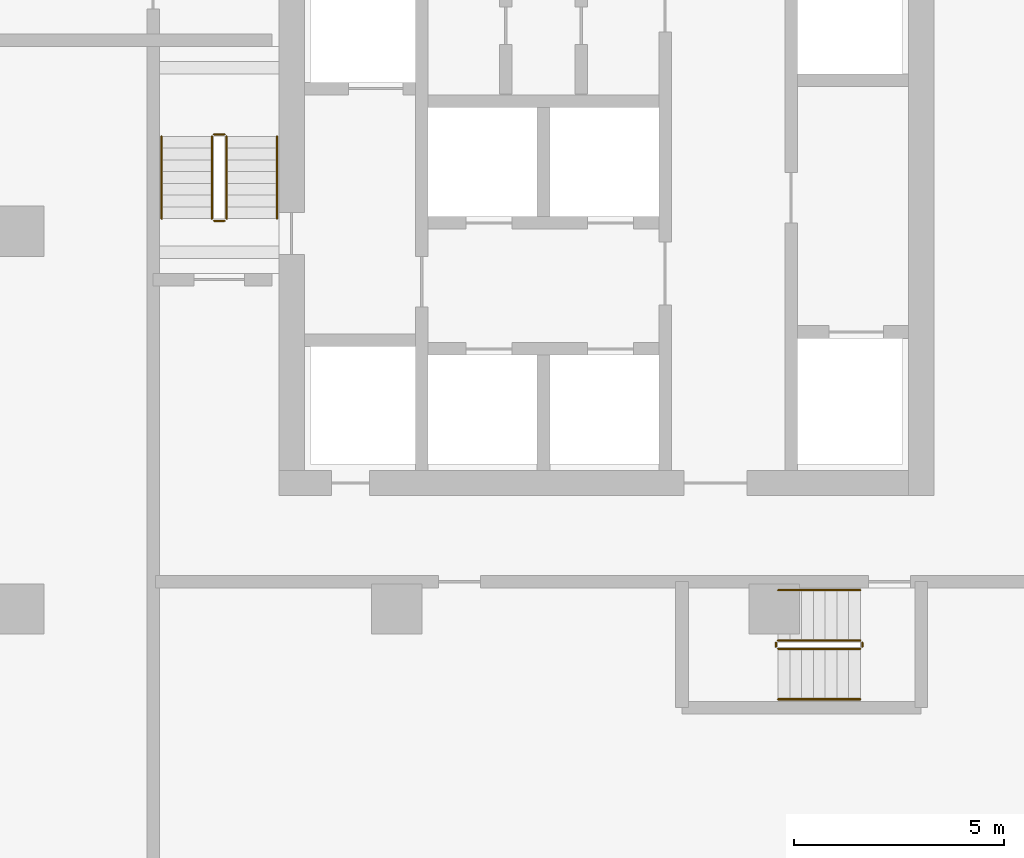
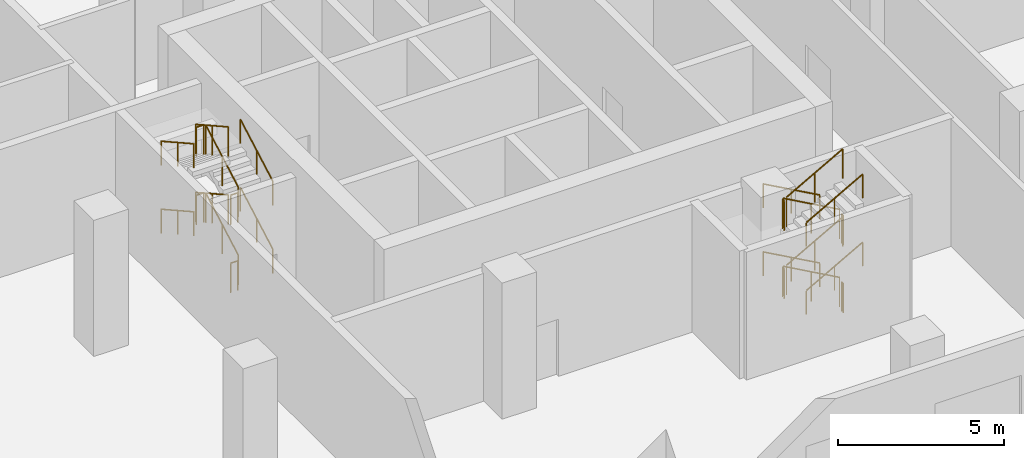
# One storey, part 34 of 35: 24 railings.
"""IFC4 building model written with IfcOpenShell, lengths in metres."""

from ifc_helpers import new_model, si_unit, direction, frame, origin, origin_2d, place, context, subcontext, project, spatial, circle, extrude, material, type_object, element, save


model = new_model("IFC4")

# Units and contexts
model_context = context("Model", 3, precision=1e-05, world=origin(), true_north=direction((0.0, 1.0)))
body_context = subcontext(model_context, "Body", "Model", "MODEL_VIEW")
ifc_project = project(units=[si_unit("LENGTHUNIT", "METRE"), si_unit("AREAUNIT", "SQUARE_METRE"), si_unit("VOLUMEUNIT", "CUBIC_METRE"), si_unit("PLANEANGLEUNIT", "RADIAN"), si_unit("MASSUNIT", "GRAM", prefix="KILO")], contexts=[model_context])

# Site, building, storey
site_placement = place(None, origin())
site = spatial("IfcSite", under=ifc_project, at=site_placement, CompositionType="ELEMENT")
building_placement = place(site_placement, origin())
building = spatial("IfcBuilding", under=site, at=building_placement, Name="Ogive Portal Towers", CompositionType="ELEMENT")
storey_placement = place(building_placement, frame((0.0, 0.0, 23.5)))
storey = spatial("IfcBuildingStorey", under=building, at=storey_placement, Name="L04", CompositionType="ELEMENT", Elevation=23.5)

# Railings
ifc_material_1 = material(Name="Stainless steel balustrade", Category="steel")
railing_type_1 = type_object("IfcRailingType", Name="INT-GUARD", PredefinedType="GUARDRAIL", material=ifc_material_1)
railing_1_placement = place(storey_placement, frame((127.449951171875, 30.800048828125, 0.15625)))
element("IfcRailing", 1, at=railing_1_placement, inside=storey, type_object=railing_type_1, Name="L04 ST-B1 stair guard 1", PredefinedType="GUARDRAIL", context=body_context, shape_type="SweptSolid", body=[
    extrude(circle(Radius=0.02392578125, at=origin_2d()), frame((0.0, 0.0, 1.076171875), z_axis=(0.0, 0.873232148454, 0.487304437602), x_axis=(-1.0, 0.0, 0.0)), (0.0, 0.0, 1.0), 2.244384765625),
    extrude(circle(Radius=0.02099609375, at=origin_2d()), origin(), (0.0, 0.0, 1.0), 1.052001953125),
    extrude(circle(Radius=0.02099609375, at=origin_2d()), frame((0.0, 0.97998046875, 0.546875)), (0.0, 0.0, 1.0), 1.052001953125),
    extrude(circle(Radius=0.02099609375, at=origin_2d()), frame((0.0, 1.9599609375, 1.09375)), (0.0, 0.0, 1.0), 1.052001953125),
])
railing_2_placement = place(storey_placement, frame((127.39990234375, 32.81005859375, 1.25)))
element("IfcRailing", 2, at=railing_2_placement, inside=storey, type_object=railing_type_1, Name="L04 ST-B1 stair guard 2", PredefinedType="GUARDRAIL", context=body_context, shape_type="SweptSolid", body=[
    extrude(circle(Radius=0.02392578125, at=origin_2d()), frame((0.0, 0.0, 1.076171875), z_axis=(-1.0, 0.0, 0.0), x_axis=(0.0, -1.0, 0.0)), (0.0, 0.0, 1.0), 0.25),
    extrude(circle(Radius=0.02099609375, at=origin_2d()), origin(), (0.0, 0.0, 1.0), 1.052001953125),
    extrude(circle(Radius=0.02099609375, at=origin_2d()), frame((-0.25, 0.0, 0.0)), (0.0, 0.0, 1.0), 1.052001953125),
])
railing_3_placement = place(storey_placement, frame((127.10009765625, 32.760009765625, 1.40625)))
element("IfcRailing", 3, at=railing_3_placement, inside=storey, type_object=railing_type_1, Name="L04 ST-B1 stair guard 3", PredefinedType="GUARDRAIL", context=body_context, shape_type="SweptSolid", body=[
    extrude(circle(Radius=0.02392578125, at=origin_2d()), frame((0.0, 0.0, 1.076171875), z_axis=(0.0, -0.873232148454, 0.487304437602), x_axis=(1.0, 0.0, 0.0)), (0.0, 0.0, 1.0), 2.244384765625),
    extrude(circle(Radius=0.02099609375, at=origin_2d()), origin(), (0.0, 0.0, 1.0), 1.052001953125),
    extrude(circle(Radius=0.02099609375, at=origin_2d()), frame((0.0, -0.97998046875, 0.546875)), (0.0, 0.0, 1.0), 1.052001953125),
    extrude(circle(Radius=0.02099609375, at=origin_2d()), frame((0.0, -1.9599609375, 1.09375)), (0.0, 0.0, 1.0), 1.052001953125),
])
railing_4_placement = place(storey_placement, frame((127.39990234375, 30.75, 2.5)))
element("IfcRailing", 4, at=railing_4_placement, inside=storey, type_object=railing_type_1, Name="L04 ST-B1 stair guard 4", PredefinedType="GUARDRAIL", context=body_context, shape_type="SweptSolid", body=[
    extrude(circle(Radius=0.02392578125, at=origin_2d()), frame((0.0, 0.0, 1.076171875), z_axis=(-1.0, 0.0, 0.0), x_axis=(0.0, -1.0, 0.0)), (0.0, 0.0, 1.0), 0.25),
    extrude(circle(Radius=0.02099609375, at=origin_2d()), origin(), (0.0, 0.0, 1.0), 1.052001953125),
    extrude(circle(Radius=0.02099609375, at=origin_2d()), frame((-0.25, 0.0, 0.0)), (0.0, 0.0, 1.0), 1.052001953125),
])
railing_5_placement = place(storey_placement, frame((127.449951171875, 30.800048828125, 2.65625)))
element("IfcRailing", 5, at=railing_5_placement, inside=storey, type_object=railing_type_1, Name="L04 ST-B1 stair guard 5", PredefinedType="GUARDRAIL", context=body_context, shape_type="SweptSolid", body=[
    extrude(circle(Radius=0.02392578125, at=origin_2d()), frame((0.0, 0.0, 1.076171875), z_axis=(0.0, 0.873232148454, 0.487304437602), x_axis=(-1.0, 0.0, 0.0)), (0.0, 0.0, 1.0), 2.244384765625),
    extrude(circle(Radius=0.02099609375, at=origin_2d()), origin(), (0.0, 0.0, 1.0), 1.052001953125),
    extrude(circle(Radius=0.02099609375, at=origin_2d()), frame((0.0, 0.97998046875, 0.546875)), (0.0, 0.0, 1.0), 1.052001953125),
    extrude(circle(Radius=0.02099609375, at=origin_2d()), frame((0.0, 1.9599609375, 1.09375)), (0.0, 0.0, 1.0), 1.052001953125),
])
railing_6_placement = place(storey_placement, frame((127.39990234375, 32.81005859375, 3.75)))
element("IfcRailing", 6, at=railing_6_placement, inside=storey, type_object=railing_type_1, Name="L04 ST-B1 stair guard 6", PredefinedType="GUARDRAIL", context=body_context, shape_type="SweptSolid", body=[
    extrude(circle(Radius=0.02392578125, at=origin_2d()), frame((0.0, 0.0, 1.076171875), z_axis=(-1.0, 0.0, 0.0), x_axis=(0.0, -1.0, 0.0)), (0.0, 0.0, 1.0), 0.25),
    extrude(circle(Radius=0.02099609375, at=origin_2d()), origin(), (0.0, 0.0, 1.0), 1.052001953125),
    extrude(circle(Radius=0.02099609375, at=origin_2d()), frame((-0.25, 0.0, 0.0)), (0.0, 0.0, 1.0), 1.052001953125),
])
railing_7_placement = place(storey_placement, frame((127.10009765625, 32.760009765625, 3.90625)))
element("IfcRailing", 7, at=railing_7_placement, inside=storey, type_object=railing_type_1, Name="L04 ST-B1 stair guard 7", PredefinedType="GUARDRAIL", context=body_context, shape_type="SweptSolid", body=[
    extrude(circle(Radius=0.02392578125, at=origin_2d()), frame((0.0, 0.0, 1.076171875), z_axis=(0.0, -0.873232148454, 0.487304437602), x_axis=(1.0, 0.0, 0.0)), (0.0, 0.0, 1.0), 2.244384765625),
    extrude(circle(Radius=0.02099609375, at=origin_2d()), origin(), (0.0, 0.0, 1.0), 1.052001953125),
    extrude(circle(Radius=0.02099609375, at=origin_2d()), frame((0.0, -0.97998046875, 0.546875)), (0.0, 0.0, 1.0), 1.052001953125),
    extrude(circle(Radius=0.02099609375, at=origin_2d()), frame((0.0, -1.9599609375, 1.09375)), (0.0, 0.0, 1.0), 1.052001953125),
])
railing_8_placement = place(storey_placement, frame((127.39990234375, 30.75, 0.0)))
element("IfcRailing", 8, at=railing_8_placement, inside=storey, type_object=railing_type_1, Name="L04 ST-B1 stair guard 8", PredefinedType="GUARDRAIL", context=body_context, shape_type="SweptSolid", body=[
    extrude(circle(Radius=0.02392578125, at=origin_2d()), frame((0.0, 0.0, 1.076171875), z_axis=(-1.0, 0.0, 0.0), x_axis=(0.0, -1.0, 0.0)), (0.0, 0.0, 1.0), 0.25),
    extrude(circle(Radius=0.02099609375, at=origin_2d()), origin(), (0.0, 0.0, 1.0), 1.052001953125),
    extrude(circle(Radius=0.02099609375, at=origin_2d()), frame((-0.25, 0.0, 0.0)), (0.0, 0.0, 1.0), 1.052001953125),
])
railing_9_placement = place(storey_placement, frame((142.550048828125, 20.75, 0.15625)))
element("IfcRailing", 9, at=railing_9_placement, inside=storey, type_object=railing_type_1, Name="L04 ST-B2 stair guard 1", PredefinedType="GUARDRAIL", context=body_context, shape_type="SweptSolid", body=[
    extrude(circle(Radius=0.02392578125, at=origin_2d()), frame((0.0, 0.0, 1.076171875), z_axis=(-0.873232148454, 0.0, 0.487304437602), x_axis=(0.0, -1.0, 0.0)), (0.0, 0.0, 1.0), 2.244384765625),
    extrude(circle(Radius=0.02099609375, at=origin_2d()), origin(), (0.0, 0.0, 1.0), 1.052001953125),
    extrude(circle(Radius=0.02099609375, at=origin_2d()), frame((-0.97998046875, 0.0, 0.546875)), (0.0, 0.0, 1.0), 1.052001953125),
    extrude(circle(Radius=0.02099609375, at=origin_2d()), frame((-1.9599609375, 0.0, 1.09375)), (0.0, 0.0, 1.0), 1.052001953125),
])
railing_10_placement = place(storey_placement, frame((140.5400390625, 20.699951171875, 1.25)))
element("IfcRailing", 10, at=railing_10_placement, inside=storey, type_object=railing_type_1, Name="L04 ST-B2 stair guard 2", PredefinedType="GUARDRAIL", context=body_context, shape_type="SweptSolid", body=[
    extrude(circle(Radius=0.02392578125, at=origin_2d()), frame((0.0, 0.0, 1.076171875), z_axis=(0.0, -1.0, 0.0), x_axis=(1.0, 0.0, 0.0)), (0.0, 0.0, 1.0), 0.099853515625),
    extrude(circle(Radius=0.02099609375, at=origin_2d()), origin(), (0.0, 0.0, 1.0), 1.052001953125),
    extrude(circle(Radius=0.02099609375, at=origin_2d()), frame((0.0, -0.099853515625, 0.0)), (0.0, 0.0, 1.0), 1.052001953125),
])
railing_11_placement = place(storey_placement, frame((140.590087890625, 20.550048828125, 1.40625)))
element("IfcRailing", 11, at=railing_11_placement, inside=storey, type_object=railing_type_1, Name="L04 ST-B2 stair guard 3", PredefinedType="GUARDRAIL", context=body_context, shape_type="SweptSolid", body=[
    extrude(circle(Radius=0.02392578125, at=origin_2d()), frame((0.0, 0.0, 1.076171875), z_axis=(0.873232148454, 0.0, 0.487304437602), x_axis=(0.0, 1.0, 0.0)), (0.0, 0.0, 1.0), 2.244384765625),
    extrude(circle(Radius=0.02099609375, at=origin_2d()), origin(), (0.0, 0.0, 1.0), 1.052001953125),
    extrude(circle(Radius=0.02099609375, at=origin_2d()), frame((0.97998046875, 0.0, 0.546875)), (0.0, 0.0, 1.0), 1.052001953125),
    extrude(circle(Radius=0.02099609375, at=origin_2d()), frame((1.9599609375, 0.0, 1.09375)), (0.0, 0.0, 1.0), 1.052001953125),
])
railing_12_placement = place(storey_placement, frame((142.60009765625, 20.699951171875, 2.5)))
element("IfcRailing", 12, at=railing_12_placement, inside=storey, type_object=railing_type_1, Name="L04 ST-B2 stair guard 4", PredefinedType="GUARDRAIL", context=body_context, shape_type="SweptSolid", body=[
    extrude(circle(Radius=0.02392578125, at=origin_2d()), frame((0.0, 0.0, 1.076171875), z_axis=(0.0, -1.0, 0.0), x_axis=(1.0, 0.0, 0.0)), (0.0, 0.0, 1.0), 0.099853515625),
    extrude(circle(Radius=0.02099609375, at=origin_2d()), origin(), (0.0, 0.0, 1.0), 1.052001953125),
    extrude(circle(Radius=0.02099609375, at=origin_2d()), frame((0.0, -0.099853515625, 0.0)), (0.0, 0.0, 1.0), 1.052001953125),
])
railing_13_placement = place(storey_placement, frame((142.550048828125, 20.75, 2.65625)))
element("IfcRailing", 13, at=railing_13_placement, inside=storey, type_object=railing_type_1, Name="L04 ST-B2 stair guard 5", PredefinedType="GUARDRAIL", context=body_context, shape_type="SweptSolid", body=[
    extrude(circle(Radius=0.02392578125, at=origin_2d()), frame((0.0, 0.0, 1.076171875), z_axis=(-0.873232148454, 0.0, 0.487304437602), x_axis=(0.0, -1.0, 0.0)), (0.0, 0.0, 1.0), 2.244384765625),
    extrude(circle(Radius=0.02099609375, at=origin_2d()), origin(), (0.0, 0.0, 1.0), 1.052001953125),
    extrude(circle(Radius=0.02099609375, at=origin_2d()), frame((-0.97998046875, 0.0, 0.546875)), (0.0, 0.0, 1.0), 1.052001953125),
    extrude(circle(Radius=0.02099609375, at=origin_2d()), frame((-1.9599609375, 0.0, 1.09375)), (0.0, 0.0, 1.0), 1.052001953125),
])
railing_14_placement = place(storey_placement, frame((140.5400390625, 20.699951171875, 3.75)))
element("IfcRailing", 14, at=railing_14_placement, inside=storey, type_object=railing_type_1, Name="L04 ST-B2 stair guard 6", PredefinedType="GUARDRAIL", context=body_context, shape_type="SweptSolid", body=[
    extrude(circle(Radius=0.02392578125, at=origin_2d()), frame((0.0, 0.0, 1.076171875), z_axis=(0.0, -1.0, 0.0), x_axis=(1.0, 0.0, 0.0)), (0.0, 0.0, 1.0), 0.099853515625),
    extrude(circle(Radius=0.02099609375, at=origin_2d()), origin(), (0.0, 0.0, 1.0), 1.052001953125),
    extrude(circle(Radius=0.02099609375, at=origin_2d()), frame((0.0, -0.099853515625, 0.0)), (0.0, 0.0, 1.0), 1.052001953125),
])
railing_15_placement = place(storey_placement, frame((140.590087890625, 20.550048828125, 3.90625)))
element("IfcRailing", 15, at=railing_15_placement, inside=storey, type_object=railing_type_1, Name="L04 ST-B2 stair guard 7", PredefinedType="GUARDRAIL", context=body_context, shape_type="SweptSolid", body=[
    extrude(circle(Radius=0.02392578125, at=origin_2d()), frame((0.0, 0.0, 1.076171875), z_axis=(0.873232148454, 0.0, 0.487304437602), x_axis=(0.0, 1.0, 0.0)), (0.0, 0.0, 1.0), 2.244384765625),
    extrude(circle(Radius=0.02099609375, at=origin_2d()), origin(), (0.0, 0.0, 1.0), 1.052001953125),
    extrude(circle(Radius=0.02099609375, at=origin_2d()), frame((0.97998046875, 0.0, 0.546875)), (0.0, 0.0, 1.0), 1.052001953125),
    extrude(circle(Radius=0.02099609375, at=origin_2d()), frame((1.9599609375, 0.0, 1.09375)), (0.0, 0.0, 1.0), 1.052001953125),
])
railing_16_placement = place(storey_placement, frame((142.60009765625, 20.699951171875, 0.0)))
element("IfcRailing", 16, at=railing_16_placement, inside=storey, type_object=railing_type_1, Name="L04 ST-B2 stair guard 8", PredefinedType="GUARDRAIL", context=body_context, shape_type="SweptSolid", body=[
    extrude(circle(Radius=0.02392578125, at=origin_2d()), frame((0.0, 0.0, 1.076171875), z_axis=(0.0, -1.0, 0.0), x_axis=(1.0, 0.0, 0.0)), (0.0, 0.0, 1.0), 0.099853515625),
    extrude(circle(Radius=0.02099609375, at=origin_2d()), origin(), (0.0, 0.0, 1.0), 1.052001953125),
    extrude(circle(Radius=0.02099609375, at=origin_2d()), frame((0.0, -0.099853515625, 0.0)), (0.0, 0.0, 1.0), 1.052001953125),
])
ifc_material_2 = material(Name="Stainless steel handrail", Category="steel")
railing_type_2 = type_object("IfcRailingType", Name="INT-HANDRAIL", PredefinedType="HANDRAIL", material=ifc_material_2)
railing_17_placement = place(storey_placement, frame((128.64990234375, 30.800048828125, 0.15625)))
element("IfcRailing", 17, at=railing_17_placement, inside=storey, type_object=railing_type_2, Name="L04 ST-B1 stair handrail 1", PredefinedType="HANDRAIL", context=body_context, shape_type="SweptSolid", body=[
    extrude(circle(Radius=0.02392578125, at=origin_2d()), frame((0.0, 0.0, 0.8759765625), z_axis=(0.0, 0.873232148454, 0.487304437602), x_axis=(-1.0, 0.0, 0.0)), (0.0, 0.0, 1.0), 2.244384765625),
    extrude(circle(Radius=0.02099609375, at=origin_2d()), origin(), (0.0, 0.0, 1.0), 0.851806640625),
    extrude(circle(Radius=0.02099609375, at=origin_2d()), frame((0.0, 0.97998046875, 0.546875)), (0.0, 0.0, 1.0), 0.851806640625),
    extrude(circle(Radius=0.02099609375, at=origin_2d()), frame((0.0, 1.9599609375, 1.09375)), (0.0, 0.0, 1.0), 0.851806640625),
])
railing_18_placement = place(storey_placement, frame((125.89990234375, 32.760009765625, 1.40625)))
element("IfcRailing", 18, at=railing_18_placement, inside=storey, type_object=railing_type_2, Name="L04 ST-B1 stair handrail 2", PredefinedType="HANDRAIL", context=body_context, shape_type="SweptSolid", body=[
    extrude(circle(Radius=0.02392578125, at=origin_2d()), frame((0.0, 0.0, 0.8759765625), z_axis=(0.0, -0.873232148454, 0.487304437602), x_axis=(1.0, 0.0, 0.0)), (0.0, 0.0, 1.0), 2.244384765625),
    extrude(circle(Radius=0.02099609375, at=origin_2d()), origin(), (0.0, 0.0, 1.0), 0.851806640625),
    extrude(circle(Radius=0.02099609375, at=origin_2d()), frame((0.0, -0.97998046875, 0.546875)), (0.0, 0.0, 1.0), 0.851806640625),
    extrude(circle(Radius=0.02099609375, at=origin_2d()), frame((0.0, -1.9599609375, 1.09375)), (0.0, 0.0, 1.0), 0.851806640625),
])
railing_19_placement = place(storey_placement, frame((128.64990234375, 30.800048828125, 2.65625)))
element("IfcRailing", 19, at=railing_19_placement, inside=storey, type_object=railing_type_2, Name="L04 ST-B1 stair handrail 3", PredefinedType="HANDRAIL", context=body_context, shape_type="SweptSolid", body=[
    extrude(circle(Radius=0.02392578125, at=origin_2d()), frame((0.0, 0.0, 0.8759765625), z_axis=(0.0, 0.873232148454, 0.487304437602), x_axis=(-1.0, 0.0, 0.0)), (0.0, 0.0, 1.0), 2.244384765625),
    extrude(circle(Radius=0.02099609375, at=origin_2d()), origin(), (0.0, 0.0, 1.0), 0.851806640625),
    extrude(circle(Radius=0.02099609375, at=origin_2d()), frame((0.0, 0.97998046875, 0.546875)), (0.0, 0.0, 1.0), 0.851806640625),
    extrude(circle(Radius=0.02099609375, at=origin_2d()), frame((0.0, 1.9599609375, 1.09375)), (0.0, 0.0, 1.0), 0.851806640625),
])
railing_20_placement = place(storey_placement, frame((125.89990234375, 32.760009765625, 3.90625)))
element("IfcRailing", 20, at=railing_20_placement, inside=storey, type_object=railing_type_2, Name="L04 ST-B1 stair handrail 4", PredefinedType="HANDRAIL", context=body_context, shape_type="SweptSolid", body=[
    extrude(circle(Radius=0.02392578125, at=origin_2d()), frame((0.0, 0.0, 0.8759765625), z_axis=(0.0, -0.873232148454, 0.487304437602), x_axis=(1.0, 0.0, 0.0)), (0.0, 0.0, 1.0), 2.244384765625),
    extrude(circle(Radius=0.02099609375, at=origin_2d()), origin(), (0.0, 0.0, 1.0), 0.851806640625),
    extrude(circle(Radius=0.02099609375, at=origin_2d()), frame((0.0, -0.97998046875, 0.546875)), (0.0, 0.0, 1.0), 0.851806640625),
    extrude(circle(Radius=0.02099609375, at=origin_2d()), frame((0.0, -1.9599609375, 1.09375)), (0.0, 0.0, 1.0), 0.851806640625),
])
railing_21_placement = place(storey_placement, frame((142.550048828125, 21.949951171875, 0.15625)))
element("IfcRailing", 21, at=railing_21_placement, inside=storey, type_object=railing_type_2, Name="L04 ST-B2 stair handrail 1", PredefinedType="HANDRAIL", context=body_context, shape_type="SweptSolid", body=[
    extrude(circle(Radius=0.02392578125, at=origin_2d()), frame((0.0, 0.0, 0.8759765625), z_axis=(-0.873232148454, 0.0, 0.487304437602), x_axis=(0.0, -1.0, 0.0)), (0.0, 0.0, 1.0), 2.244384765625),
    extrude(circle(Radius=0.02099609375, at=origin_2d()), origin(), (0.0, 0.0, 1.0), 0.851806640625),
    extrude(circle(Radius=0.02099609375, at=origin_2d()), frame((-0.97998046875, 0.0, 0.546875)), (0.0, 0.0, 1.0), 0.851806640625),
    extrude(circle(Radius=0.02099609375, at=origin_2d()), frame((-1.9599609375, 0.0, 1.09375)), (0.0, 0.0, 1.0), 0.851806640625),
])
railing_22_placement = place(storey_placement, frame((140.590087890625, 19.35009765625, 1.40625)))
element("IfcRailing", 22, at=railing_22_placement, inside=storey, type_object=railing_type_2, Name="L04 ST-B2 stair handrail 2", PredefinedType="HANDRAIL", context=body_context, shape_type="SweptSolid", body=[
    extrude(circle(Radius=0.02392578125, at=origin_2d()), frame((0.0, 0.0, 0.8759765625), z_axis=(0.873232148454, 0.0, 0.487304437602), x_axis=(0.0, 1.0, 0.0)), (0.0, 0.0, 1.0), 2.244384765625),
    extrude(circle(Radius=0.02099609375, at=origin_2d()), origin(), (0.0, 0.0, 1.0), 0.851806640625),
    extrude(circle(Radius=0.02099609375, at=origin_2d()), frame((0.97998046875, 0.0, 0.546875)), (0.0, 0.0, 1.0), 0.851806640625),
    extrude(circle(Radius=0.02099609375, at=origin_2d()), frame((1.9599609375, 0.0, 1.09375)), (0.0, 0.0, 1.0), 0.851806640625),
])
railing_23_placement = place(storey_placement, frame((142.550048828125, 21.949951171875, 2.65625)))
element("IfcRailing", 23, at=railing_23_placement, inside=storey, type_object=railing_type_2, Name="L04 ST-B2 stair handrail 3", PredefinedType="HANDRAIL", context=body_context, shape_type="SweptSolid", body=[
    extrude(circle(Radius=0.02392578125, at=origin_2d()), frame((0.0, 0.0, 0.8759765625), z_axis=(-0.873232148454, 0.0, 0.487304437602), x_axis=(0.0, -1.0, 0.0)), (0.0, 0.0, 1.0), 2.244384765625),
    extrude(circle(Radius=0.02099609375, at=origin_2d()), origin(), (0.0, 0.0, 1.0), 0.851806640625),
    extrude(circle(Radius=0.02099609375, at=origin_2d()), frame((-0.97998046875, 0.0, 0.546875)), (0.0, 0.0, 1.0), 0.851806640625),
    extrude(circle(Radius=0.02099609375, at=origin_2d()), frame((-1.9599609375, 0.0, 1.09375)), (0.0, 0.0, 1.0), 0.851806640625),
])
railing_24_placement = place(storey_placement, frame((140.590087890625, 19.35009765625, 3.90625)))
element("IfcRailing", 24, at=railing_24_placement, inside=storey, type_object=railing_type_2, Name="L04 ST-B2 stair handrail 4", PredefinedType="HANDRAIL", context=body_context, shape_type="SweptSolid", body=[
    extrude(circle(Radius=0.02392578125, at=origin_2d()), frame((0.0, 0.0, 0.8759765625), z_axis=(0.873232148454, 0.0, 0.487304437602), x_axis=(0.0, 1.0, 0.0)), (0.0, 0.0, 1.0), 2.244384765625),
    extrude(circle(Radius=0.02099609375, at=origin_2d()), origin(), (0.0, 0.0, 1.0), 0.851806640625),
    extrude(circle(Radius=0.02099609375, at=origin_2d()), frame((0.97998046875, 0.0, 0.546875)), (0.0, 0.0, 1.0), 0.851806640625),
    extrude(circle(Radius=0.02099609375, at=origin_2d()), frame((1.9599609375, 0.0, 1.09375)), (0.0, 0.0, 1.0), 0.851806640625),
])

save(model, "model.ifc")
